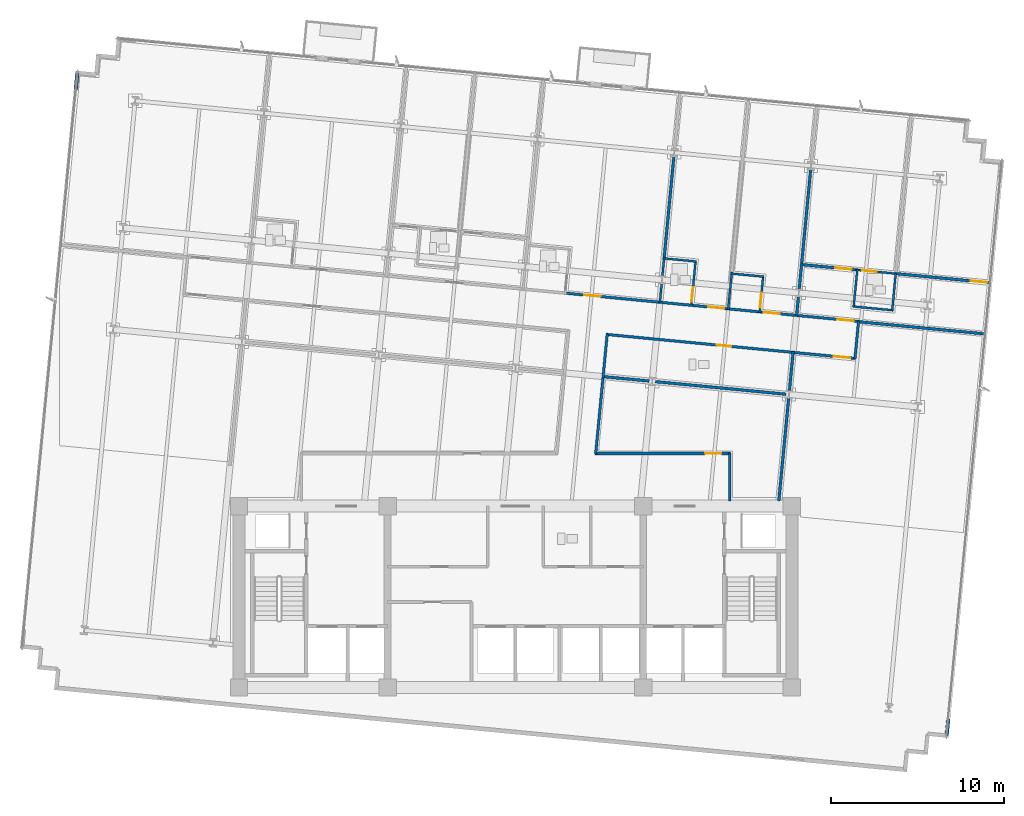
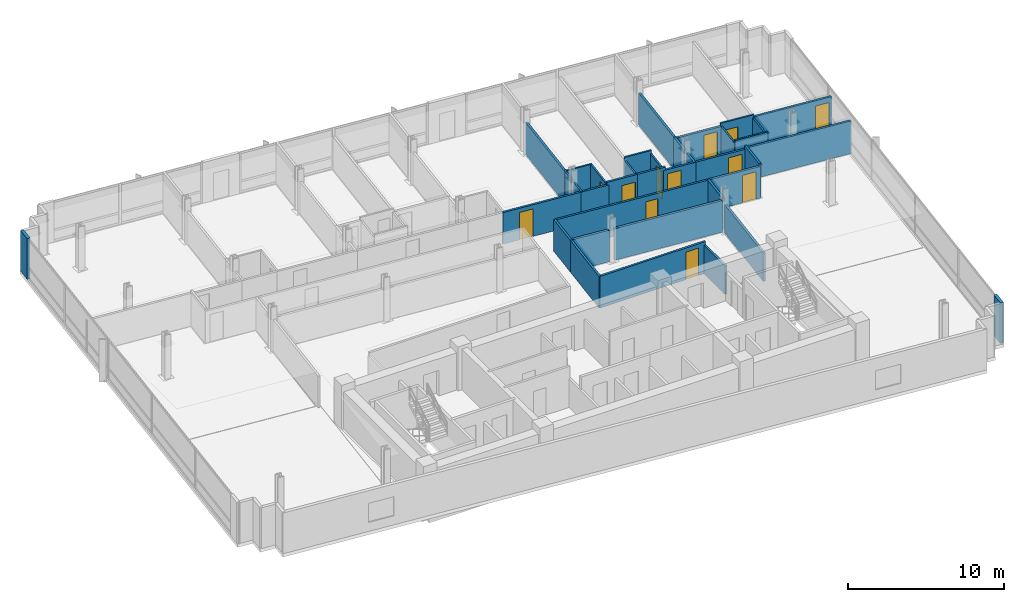
# One storey, part 12 of 17: 37 walls, 12 doors, 12 openings.
"""IFC4 building model written with IfcOpenShell, lengths in metres."""

from ifc_helpers import new_model, si_unit, direction, frame, frame_2d, origin, place, context, subcontext, project, spatial, rectangle, extrude, material, layer, layer_set, type_object, element, fill, save


model = new_model("IFC4")

# Units and contexts
model_context = context("Model", 3, precision=1e-05, world=origin(), true_north=direction((0.0, 1.0)))
body_context = subcontext(model_context, "Body", "Model", "MODEL_VIEW")
ifc_project = project(units=[si_unit("LENGTHUNIT", "METRE"), si_unit("AREAUNIT", "SQUARE_METRE"), si_unit("VOLUMEUNIT", "CUBIC_METRE"), si_unit("PLANEANGLEUNIT", "RADIAN"), si_unit("MASSUNIT", "GRAM", prefix="KILO")], contexts=[model_context])

# Site, building, storey
site_placement = place(None, origin())
site = spatial("IfcSite", under=ifc_project, at=site_placement, CompositionType="ELEMENT")
building_placement = place(site_placement, origin())
building = spatial("IfcBuilding", under=site, at=building_placement, Name="Solmavex Isthmus Hotel", CompositionType="ELEMENT")
storey_placement = place(building_placement, frame((0.0, 0.0, 142.800048828125)))
storey = spatial("IfcBuildingStorey", under=building, at=storey_placement, Name="L38", CompositionType="ELEMENT", Elevation=142.800048828125)

# Walls
ifc_material_1 = material(Name="Precast Concrete C40/50", Category="concrete")
ifc_layer_1 = layer(ifc_material_1, 0.25)
ifc_layer_set_1 = layer_set([ifc_layer_1], Name="Precast Concrete C40/50")
wall_type_1 = type_object("IfcWallType", Name="EW-TWR-250", PredefinedType="STANDARD", material=ifc_layer_set_1)
wall_1_placement = place(storey_placement, frame((-25.46142578125, 21.60498046875, 0.0), z_axis=(0.0, 0.0, 1.0), x_axis=(0.095937974524, 0.995387314086, 0.0)))
element("IfcWall", 1, at=wall_1_placement, inside=storey, type_object=wall_type_1, Name="Serrated Corner Facade Panel L38-07", PredefinedType="STANDARD", context=body_context, shape_type="SweptSolid", body=[
    extrude(rectangle(XDim=0.989990234375, YDim=0.219970703125, at=frame_2d((0.4951171875, 0.0))), origin(), (0.0, 0.0, 1.0), 3.18994140625),
])
wall_2_placement = place(storey_placement, frame((25.0615234375, -14.804931640625, 0.0), z_axis=(0.0, 0.0, 1.0), x_axis=(-0.095914428506, -0.995389583231, 0.0)))
element("IfcWall", 2, at=wall_2_placement, inside=storey, type_object=wall_type_1, Name="Serrated Corner Facade Panel L38-21", PredefinedType="STANDARD", context=body_context, shape_type="SweptSolid", body=[
    extrude(rectangle(XDim=0.990234375, YDim=0.219970703125, at=frame_2d((0.4951171875, 0.0))), origin(), (0.0, 0.0, 1.0), 3.18994140625),
])
ifc_material_2 = material(Name="Gypsum plasterboard lining", Category="gypsum")
ifc_layer_2 = layer(ifc_material_2, 0.159912109375)
ifc_layer_set_2 = layer_set([ifc_layer_2], Name="Gypsum plasterboard lining")
wall_type_2 = type_object("IfcWallType", Name="IW-COMP-160", PredefinedType="PARTITIONING", material=ifc_layer_set_2)
wall_3_placement = place(storey_placement, frame((9.178466796875, 17.791259765625, 0.0), z_axis=(0.0, 0.0, 1.0), x_axis=(-0.095826863488, -0.995398016993, 0.0)))
element("IfcWall", 3, at=wall_3_placement, inside=storey, type_object=wall_type_2, Name="Interior Partition Wall W-L38-P050", PredefinedType="PARTITIONING", context=body_context, shape_type="SweptSolid", body=[
    extrude(rectangle(XDim=6.055908203125, YDim=0.159912109375, at=frame_2d((3.02783203125, 0.0))), origin(), (0.0, 0.0, 1.0), 2.4794921875),
])
wall_4_placement = place(storey_placement, frame((16.389404296875, 9.6708984375, 0.0), z_axis=(0.0, 0.0, 1.0), x_axis=(-0.095811626391, -0.995399483749, 0.0)))
element("IfcWall", 4, at=wall_4_placement, inside=storey, type_object=wall_type_2, Name="Interior Partition Wall W-L38-P060", PredefinedType="PARTITIONING", context=body_context, shape_type="SweptSolid", body=[
    extrude(rectangle(XDim=1.172119140625, YDim=0.159912109375, at=frame_2d((0.5859375, 0.0))), origin(), (0.0, 0.0, 1.0), 2.4794921875),
])
wall_5_placement = place(storey_placement, frame((16.572265625, 11.570068359375, 0.0), z_axis=(0.0, 0.0, 1.0), x_axis=(-0.095867871334, -0.99539406832, 0.0)))
element("IfcWall", 5, at=wall_5_placement, inside=storey, type_object=wall_type_2, Name="Interior Partition Wall W-L38-P061", PredefinedType="PARTITIONING", context=body_context, shape_type="SweptSolid", body=[
    extrude(rectangle(XDim=1.555908203125, YDim=0.159912109375, at=frame_2d((0.77783203125, 0.0))), origin(), (0.0, 0.0, 1.0), 2.4794921875),
])
wall_6_placement = place(storey_placement, frame((17.097900390625, 17.02880859375, 0.0), z_axis=(0.0, 0.0, 1.0), x_axis=(-0.095831010877, -0.995397617716, 0.0)))
element("IfcWall", 6, at=wall_6_placement, inside=storey, type_object=wall_type_2, Name="Interior Partition Wall W-L38-P062", PredefinedType="PARTITIONING", context=body_context, shape_type="SweptSolid", body=[
    extrude(rectangle(XDim=5.64794921875, YDim=0.159912109375, at=frame_2d((2.823974609375, 0.0))), origin(), (0.0, 0.0, 1.0), 2.4794921875),
])

# Wall, opening, door
wall_7_placement = place(storey_placement, frame((16.524658203125, 11.4921875, 0.0), z_axis=(0.0, 0.0, 1.0), x_axis=(0.995395561935, -0.095852361889, 0.0)))
wall_7 = element("IfcWall", 7, at=wall_7_placement, inside=storey, type_object=wall_type_2, Name="Interior Partition Wall W-L38-P064", PredefinedType="PARTITIONING", context=body_context, shape_type="SweptSolid", body=[
    extrude(rectangle(XDim=3.323974609375, YDim=0.159912109375, at=frame_2d((1.662109375, 0.0))), origin(), (0.0, 0.0, 1.0), 2.4794921875),
])
opening_1_placement = place(wall_7_placement, frame((2.00439453125, 0.0, 0.0)))
opening_1 = element("IfcOpeningElement", 8, at=opening_1_placement, cuts=wall_7, Name="Opening ID-C095", PredefinedType="OPENING", context=body_context, shape_type="SweptSolid", body=[
    extrude(rectangle(XDim=0.949951171875, YDim=2.14990234375, at=frame_2d((0.47509765625, 1.074951171875))), frame((0.0, 0.08984375, 0.0), z_axis=(0.0, -1.0, 0.0), x_axis=(1.0, 0.0, 0.0)), (0.0, 0.0, 1.0), 0.179931640625),
])
ifc_material_3 = material(Name="Hardwood timber", Category="wood")
door_type_1 = type_object("IfcDoorType", Name="IDR-FD60-0950", OperationType="NOTDEFINED", PredefinedType="DOOR", material=ifc_material_3)
door_1_placement = place(opening_1_placement, origin())
door_1 = element("IfcDoor", 9, at=door_1_placement, inside=storey, type_object=door_type_1, Name="Diplomatic Hospitality Suite Bedroom Door L38-15", OperationType="SINGLE_SWING_LEFT", OverallHeight=2.14990234375, OverallWidth=0.949951171875, PredefinedType="DOOR", context=body_context, shape_type="SweptSolid", body=[
    extrude(rectangle(XDim=0.949951171875, YDim=2.14990234375, at=frame_2d((0.47509765625, 1.074951171875))), frame((0.0, 0.02490234375, 0.0), z_axis=(0.0, -1.0, 0.0), x_axis=(1.0, 0.0, 0.0)), (0.0, 0.0, 1.0), 0.050048828125),
])
fill(opening_1, door_1)

wall_8_placement = place(storey_placement, frame((21.973388671875, 10.967529296875, 0.0), z_axis=(0.0, 0.0, 1.0), x_axis=(0.99539730528, -0.095834256092, 0.0)))
wall_8 = element("IfcWall", 10, at=wall_8_placement, inside=storey, type_object=wall_type_2, Name="Interior Partition Wall W-L38-P065", PredefinedType="PARTITIONING", context=body_context, shape_type="SweptSolid", body=[
    extrude(rectangle(XDim=5.573974609375, YDim=0.159912109375, at=frame_2d((2.787109375, 0.0))), origin(), (0.0, 0.0, 1.0), 2.557373046875),
])
opening_2_placement = place(wall_8_placement, frame((4.4140625, 0.0, 0.0)))
opening_2 = element("IfcOpeningElement", 11, at=opening_2_placement, cuts=wall_8, Name="Opening ID-C095", PredefinedType="OPENING", context=body_context, shape_type="SweptSolid", body=[
    extrude(rectangle(XDim=0.949951171875, YDim=2.14990234375, at=frame_2d((0.47509765625, 1.074951171875))), frame((0.0, 0.08984375, 0.0), z_axis=(0.0, -1.0, 0.0), x_axis=(1.0, 0.0, 0.0)), (0.0, 0.0, 1.0), 0.179931640625),
])
door_2_placement = place(opening_2_placement, origin())
door_2 = element("IfcDoor", 12, at=door_2_placement, inside=storey, type_object=door_type_1, Name="Diplomatic Hospitality Suite Sitting Lounge Door L38-16", OperationType="SINGLE_SWING_RIGHT", OverallHeight=2.14990234375, OverallWidth=0.949951171875, PredefinedType="DOOR", context=body_context, shape_type="SweptSolid", body=[
    extrude(rectangle(XDim=0.949951171875, YDim=2.14990234375, at=frame_2d((0.47509765625, 1.074951171875))), frame((0.0, 0.02490234375, 0.0), z_axis=(0.0, -1.0, 0.0), x_axis=(1.0, 0.0, 0.0)), (0.0, 0.0, 1.0), 0.050048828125),
])
fill(opening_2, door_2)

# Walls
wall_9_placement = place(storey_placement, frame((27.236328125, 7.468994140625, 0.0), z_axis=(0.0, 0.0, 1.0), x_axis=(-0.995396228159, 0.095845443117, 0.0)))
element("IfcWall", 13, at=wall_9_placement, inside=storey, type_object=wall_type_2, Name="Interior Partition Wall W-L38-P069", PredefinedType="PARTITIONING", context=body_context, shape_type="SweptSolid", body=[
    extrude(rectangle(XDim=7.447998046875, YDim=0.159912109375, at=frame_2d((3.72412109375, 0.0))), origin(), (0.0, 0.0, 1.0), 2.557373046875),
])
wall_10_placement = place(storey_placement, frame((7.745361328125, 4.74462890625, 0.0), z_axis=(0.0, 0.0, 1.0), x_axis=(-0.995392910691, 0.095879890208, 0.0)))
element("IfcWall", 14, at=wall_10_placement, inside=storey, type_object=wall_type_2, Name="Interior Partition Wall W-L38-P072", PredefinedType="PARTITIONING", context=body_context, shape_type="SweptSolid", body=[
    extrude(rectangle(XDim=2.721923828125, YDim=0.159912109375, at=frame_2d((1.36083984375, 0.0))), origin(), (0.0, 0.0, 1.0), 2.4794921875),
])
wall_11_placement = place(storey_placement, frame((15.664794921875, 3.982177734375, 0.0), z_axis=(0.0, 0.0, 1.0), x_axis=(-0.995396667246, 0.095840882902, 0.0)))
element("IfcWall", 15, at=wall_11_placement, inside=storey, type_object=wall_type_2, Name="Interior Partition Wall W-L38-P073", PredefinedType="PARTITIONING", context=body_context, shape_type="SweptSolid", body=[
    extrude(rectangle(XDim=7.603759765625, YDim=0.159912109375, at=frame_2d((3.8017578125, 0.0))), origin(), (0.0, 0.0, 1.0), 2.4794921875),
])
wall_12_placement = place(storey_placement, frame((16.07861328125, 6.44384765625, 0.0), z_axis=(0.0, 0.0, 1.0), x_axis=(-0.095794827695, -0.995401100555, 0.0)))
element("IfcWall", 16, at=wall_12_placement, inside=storey, type_object=wall_type_2, Name="Interior Partition Wall W-L38-P074", PredefinedType="PARTITIONING", context=body_context, shape_type="SweptSolid", body=[
    extrude(rectangle(XDim=2.314208984375, YDim=0.159912109375, at=frame_2d((1.1572265625, 0.0))), origin(), (0.0, 0.0, 1.0), 2.4794921875),
])
wall_13_placement = place(storey_placement, frame((15.8232421875, 3.7900390625, 0.0), z_axis=(0.0, 0.0, 1.0), x_axis=(-0.095865726078, -0.99539427493, 0.0)))
element("IfcWall", 17, at=wall_13_placement, inside=storey, type_object=wall_type_2, Name="Interior Partition Wall W-L38-P079", PredefinedType="PARTITIONING", context=body_context, shape_type="SweptSolid", body=[
    extrude(rectangle(XDim=6.007568359375, YDim=0.159912109375, at=frame_2d((3.00390625, 0.0))), origin(), (0.0, 0.0, 1.0), 2.224853515625),
])

# Wall, opening, door
ifc_layer_3 = layer(ifc_material_2, 0.14990234375)
ifc_layer_set_3 = layer_set([ifc_layer_3], Name="Gypsum plasterboard lining")
wall_type_3 = type_object("IfcWallType", Name="IW-CORR-150", PredefinedType="PARTITIONING", material=ifc_layer_set_3)
wall_14_placement = place(storey_placement, frame((2.79931640625, 9.84228515625, 0.0), z_axis=(0.0, 0.0, 1.0), x_axis=(0.995395844771, -0.095849424686, 0.0)))
wall_14 = element("IfcWall", 18, at=wall_14_placement, inside=storey, type_object=wall_type_3, Name="Interior Partition Wall W-L38-P005", PredefinedType="PARTITIONING", context=body_context, shape_type="SweptSolid", body=[
    extrude(rectangle(XDim=5.669921875, YDim=0.14990234375, at=frame_2d((2.8349609375, 0.0))), origin(), (0.0, 0.0, 1.0), 2.4794921875),
])
opening_3_placement = place(wall_14_placement, frame((1.18603515625, 0.0, 0.0)))
opening_3 = element("IfcOpeningElement", 19, at=opening_3_placement, cuts=wall_14, Name="Opening ID-C095", PredefinedType="OPENING", context=body_context, shape_type="SweptSolid", body=[
    extrude(rectangle(XDim=0.949951171875, YDim=2.14990234375, at=frame_2d((0.47509765625, 1.074951171875))), frame((0.0, 0.0849609375, 0.0), z_axis=(0.0, -1.0, 0.0), x_axis=(1.0, 0.0, 0.0)), (0.0, 0.0, 1.0), 0.169921875),
])
door_3_placement = place(opening_3_placement, frame((0.949951171875, 0.0, 0.0), z_axis=(0.0, 0.0, 1.0), x_axis=(-1.0, 0.0, 0.0)))
door_3 = element("IfcDoor", 20, at=door_3_placement, inside=storey, type_object=door_type_1, Name="Diplomatic Suite Door L38-08", OperationType="SINGLE_SWING_RIGHT", OverallHeight=2.14990234375, OverallWidth=0.949951171875, PredefinedType="DOOR", context=body_context, shape_type="SweptSolid", body=[
    extrude(rectangle(XDim=0.949951171875, YDim=2.14990234375, at=frame_2d((0.47509765625, 1.074951171875))), frame((0.0, 0.02490234375, 0.0), z_axis=(0.0, -1.0, 0.0), x_axis=(1.0, 0.0, 0.0)), (0.0, 0.0, 1.0), 0.050048828125),
])
fill(opening_3, door_3)

wall_15_placement = place(storey_placement, frame((10.101318359375, 9.13916015625, 0.0), z_axis=(0.0, 0.0, 1.0), x_axis=(0.995393345625, -0.095875374756, 0.0)))
wall_15 = element("IfcWall", 21, at=wall_15_placement, inside=storey, type_object=wall_type_3, Name="Interior Partition Wall W-L38-P007", PredefinedType="PARTITIONING", context=body_context, shape_type="SweptSolid", body=[
    extrude(rectangle(XDim=2.312255859375, YDim=0.14990234375, at=frame_2d((1.15625, 0.0))), origin(), (0.0, 0.0, 1.0), 2.718017578125),
])
opening_4_placement = place(wall_15_placement, frame((1.05615234375, 0.0, 0.0)))
opening_4 = element("IfcOpeningElement", 22, at=opening_4_placement, cuts=wall_15, Name="Opening ID-C095", PredefinedType="OPENING", context=body_context, shape_type="SweptSolid", body=[
    extrude(rectangle(XDim=0.949951171875, YDim=2.14990234375, at=frame_2d((0.47509765625, 1.074951171875))), frame((0.0, 0.0849609375, 0.0), z_axis=(0.0, -1.0, 0.0), x_axis=(1.0, 0.0, 0.0)), (0.0, 0.0, 1.0), 0.169921875),
])
door_4_placement = place(opening_4_placement, frame((0.949951171875, 0.0, 0.0), z_axis=(0.0, 0.0, 1.0), x_axis=(-1.0, 0.0, 0.0)))
door_4 = element("IfcDoor", 23, at=door_4_placement, inside=storey, type_object=door_type_1, Name="Junior Suite Door L38-10", OperationType="SINGLE_SWING_RIGHT", OverallHeight=2.14990234375, OverallWidth=0.949951171875, PredefinedType="DOOR", context=body_context, shape_type="SweptSolid", body=[
    extrude(rectangle(XDim=0.949951171875, YDim=2.14990234375, at=frame_2d((0.47509765625, 1.074951171875))), frame((0.0, 0.02490234375, 0.0), z_axis=(0.0, -1.0, 0.0), x_axis=(1.0, 0.0, 0.0)), (0.0, 0.0, 1.0), 0.050048828125),
])
fill(opening_4, door_4)

# Wall
wall_16_placement = place(storey_placement, frame((8.280029296875, 9.314453125, 0.0), z_axis=(0.0, 0.0, 1.0), x_axis=(0.995393086543, -0.095878064554, 0.0)))
element("IfcWall", 24, at=wall_16_placement, inside=storey, type_object=wall_type_3, Name="Interior Partition Wall W-L38-P008", PredefinedType="PARTITIONING", context=body_context, shape_type="SweptSolid", body=[
    extrude(rectangle(XDim=1.993896484375, YDim=0.14990234375, at=frame_2d((0.9970703125, 0.0))), origin(), (0.0, 0.0, 1.0), 2.4794921875),
])

# Wall, opening, door
wall_17_placement = place(storey_placement, frame((14.06103515625, 8.7578125, 0.0), z_axis=(0.0, 0.0, 1.0), x_axis=(0.995393345625, -0.095875374756, 0.0)))
wall_17 = element("IfcWall", 25, at=wall_17_placement, inside=storey, type_object=wall_type_3, Name="Interior Partition Wall W-L38-P009", PredefinedType="PARTITIONING", context=body_context, shape_type="SweptSolid", body=[
    extrude(rectangle(XDim=2.312255859375, YDim=0.14990234375, at=frame_2d((1.15625, 0.0))), origin(), (0.0, 0.0, 1.0), 2.4794921875),
])
opening_5_placement = place(wall_17_placement, frame((0.30615234375, 0.0, 0.0)))
opening_5 = element("IfcOpeningElement", 26, at=opening_5_placement, cuts=wall_17, Name="Opening ID-C095", PredefinedType="OPENING", context=body_context, shape_type="SweptSolid", body=[
    extrude(rectangle(XDim=0.949951171875, YDim=2.14990234375, at=frame_2d((0.47509765625, 1.074951171875))), frame((0.0, 0.0849609375, 0.0), z_axis=(0.0, -1.0, 0.0), x_axis=(1.0, 0.0, 0.0)), (0.0, 0.0, 1.0), 0.169921875),
])
door_5_placement = place(opening_5_placement, frame((0.949951171875, 0.0, 0.0), z_axis=(0.0, 0.0, 1.0), x_axis=(-1.0, 0.0, 0.0)))
door_5 = element("IfcDoor", 27, at=door_5_placement, inside=storey, type_object=door_type_1, Name="Deluxe Twin Room Door L38-12", OperationType="SINGLE_SWING_RIGHT", OverallHeight=2.14990234375, OverallWidth=0.949951171875, PredefinedType="DOOR", context=body_context, shape_type="SweptSolid", body=[
    extrude(rectangle(XDim=0.949951171875, YDim=2.14990234375, at=frame_2d((0.47509765625, 1.074951171875))), frame((0.0, 0.02490234375, 0.0), z_axis=(0.0, -1.0, 0.0), x_axis=(1.0, 0.0, 0.0)), (0.0, 0.0, 1.0), 0.050048828125),
])
fill(opening_5, door_5)

# Wall
wall_18_placement = place(storey_placement, frame((12.239501953125, 8.93310546875, 0.0), z_axis=(0.0, 0.0, 1.0), x_axis=(0.995405888026, -0.095745068196, 0.0)))
element("IfcWall", 28, at=wall_18_placement, inside=storey, type_object=wall_type_3, Name="Interior Partition Wall W-L38-P010", PredefinedType="PARTITIONING", context=body_context, shape_type="SweptSolid", body=[
    extrude(rectangle(XDim=1.994140625, YDim=0.14990234375, at=frame_2d((0.9970703125, 0.0))), origin(), (0.0, 0.0, 1.0), 2.718017578125),
])

# Wall, opening, door
wall_19_placement = place(storey_placement, frame((16.19921875, 8.552001953125, 0.0), z_axis=(0.0, 0.0, 1.0), x_axis=(0.995391104887, -0.095898635608, 0.0)))
wall_19 = element("IfcWall", 29, at=wall_19_placement, inside=storey, type_object=wall_type_3, Name="Interior Partition Wall W-L38-P011", PredefinedType="PARTITIONING", context=body_context, shape_type="SweptSolid", body=[
    extrude(rectangle(XDim=3.721923828125, YDim=0.14990234375, at=frame_2d((1.86083984375, 0.0))), origin(), (0.0, 0.0, 1.0), 2.4794921875),
])
opening_6_placement = place(wall_19_placement, frame((2.456787109375, 0.0, 0.0)))
opening_6 = element("IfcOpeningElement", 30, at=opening_6_placement, cuts=wall_19, Name="Opening ID-C095", PredefinedType="OPENING", context=body_context, shape_type="SweptSolid", body=[
    extrude(rectangle(XDim=0.949951171875, YDim=2.14990234375, at=frame_2d((0.47509765625, 1.074951171875))), frame((0.0, 0.0849609375, 0.0), z_axis=(0.0, -1.0, 0.0), x_axis=(1.0, 0.0, 0.0)), (0.0, 0.0, 1.0), 0.169921875),
])
door_6_placement = place(opening_6_placement, frame((0.949951171875, 0.0, 0.0), z_axis=(0.0, 0.0, 1.0), x_axis=(-1.0, 0.0, 0.0)))
door_6 = element("IfcDoor", 31, at=door_6_placement, inside=storey, type_object=door_type_1, Name="Diplomatic Hospitality Suite Reception Foyer Door L38-14", OperationType="SINGLE_SWING_RIGHT", OverallHeight=2.14990234375, OverallWidth=0.949951171875, PredefinedType="DOOR", context=body_context, shape_type="SweptSolid", body=[
    extrude(rectangle(XDim=0.949951171875, YDim=2.14990234375, at=frame_2d((0.47509765625, 1.074951171875))), frame((0.0, 0.02490234375, 0.0), z_axis=(0.0, -1.0, 0.0), x_axis=(1.0, 0.0, 0.0)), (0.0, 0.0, 1.0), 0.050048828125),
])
fill(opening_6, door_6)

wall_20_placement = place(storey_placement, frame((16.156494140625, 6.39599609375, 0.0), z_axis=(0.0, 0.0, 1.0), x_axis=(-0.99539478422, 0.095860437863, 0.0)))
wall_20 = element("IfcWall", 32, at=wall_20_placement, inside=storey, type_object=wall_type_3, Name="Interior Partition Wall W-L38-P012", PredefinedType="PARTITIONING", context=body_context, shape_type="SweptSolid", body=[
    extrude(rectangle(XDim=10.93603515625, YDim=0.14990234375, at=frame_2d((5.468017578125, 0.0))), origin(), (0.0, 0.0, 1.0), 2.4794921875),
])
opening_7_placement = place(wall_20_placement, frame((3.675048828125, 0.0, 0.0)))
opening_7 = element("IfcOpeningElement", 33, at=opening_7_placement, cuts=wall_20, Name="Opening ID-R085", PredefinedType="OPENING", context=body_context, shape_type="SweptSolid", body=[
    extrude(rectangle(XDim=0.85009765625, YDim=2.050048828125, at=frame_2d((0.425048828125, 1.02490234375))), frame((0.0, 0.0849609375, 0.0), z_axis=(0.0, -1.0, 0.0), x_axis=(1.0, 0.0, 0.0)), (0.0, 0.0, 1.0), 0.169921875),
])
ifc_material_4 = material(Name="Steel ASTM A500 Grade C", Category="steel")
door_type_2 = type_object("IfcDoorType", Name="IDR-FD60-0850", OperationType="NOTDEFINED", PredefinedType="DOOR", material=ifc_material_4)
door_7_placement = place(opening_7_placement, frame((0.85009765625, 0.0, 0.0), z_axis=(0.0, 0.0, 1.0), x_axis=(-1.0, 0.0, 0.0)))
door_7 = element("IfcDoor", 34, at=door_7_placement, inside=storey, type_object=door_type_2, Name="Accessible Public Restroom WC Door L38-18", OperationType="SINGLE_SWING_RIGHT", OverallHeight=2.050048828125, OverallWidth=0.85009765625, PredefinedType="DOOR", context=body_context, shape_type="SweptSolid", body=[
    extrude(rectangle(XDim=0.85009765625, YDim=2.050048828125, at=frame_2d((0.425048828125, 1.02490234375))), frame((0.0, 0.02490234375, 0.0), z_axis=(0.0, -1.0, 0.0), x_axis=(1.0, 0.0, 0.0)), (0.0, 0.0, 1.0), 0.050048828125),
])
fill(opening_7, door_7)

# Walls
wall_21_placement = place(storey_placement, frame((5.314453125, 7.480224609375, 0.0), z_axis=(0.0, 0.0, 1.0), x_axis=(-0.09587519517, -0.995393362923, 0.0)))
element("IfcWall", 35, at=wall_21_placement, inside=storey, type_object=wall_type_3, Name="Interior Partition Wall W-L38-P013", PredefinedType="PARTITIONING", context=body_context, shape_type="SweptSolid", body=[
    extrude(rectangle(XDim=2.572021484375, YDim=0.14990234375, at=frame_2d((1.2861328125, 0.0))), origin(), (0.0, 0.0, 1.0), 2.4794921875),
])
wall_22_placement = place(storey_placement, frame((5.083740234375, 5.083251953125, 0.0), z_axis=(0.0, 0.0, 1.0), x_axis=(-0.095867331855, -0.995394120277, 0.0)))
element("IfcWall", 36, at=wall_22_placement, inside=storey, type_object=wall_type_3, Name="Interior Partition Wall W-L38-P016", PredefinedType="PARTITIONING", context=body_context, shape_type="SweptSolid", body=[
    extrude(rectangle(XDim=4.59423828125, YDim=0.14990234375, at=frame_2d((2.297119140625, 0.0))), origin(), (0.0, 0.0, 1.0), 2.4794921875),
])

# Wall, opening, door
wall_23_placement = place(storey_placement, frame((4.607177734375, 0.550048828125, 0.0), z_axis=(0.0, 0.0, 1.0), x_axis=(1.0, 0.0, 0.0)))
wall_23 = element("IfcWall", 37, at=wall_23_placement, inside=storey, type_object=wall_type_3, Name="Interior Partition Wall W-L38-P017", PredefinedType="PARTITIONING", context=body_context, shape_type="SweptSolid", body=[
    extrude(rectangle(XDim=7.832763671875, YDim=0.14990234375, at=frame_2d((3.91650390625, 0.0))), origin(), (0.0, 0.0, 1.0), 2.4794921875),
])
opening_8_placement = place(wall_23_placement, frame((6.3720703125, 0.0, 0.0)))
opening_8 = element("IfcOpeningElement", 38, at=opening_8_placement, cuts=wall_23, Name="Opening ID-C095", PredefinedType="OPENING", context=body_context, shape_type="SweptSolid", body=[
    extrude(rectangle(XDim=0.949951171875, YDim=2.14990234375, at=frame_2d((0.47509765625, 1.074951171875))), frame((0.0, 0.0849609375, 0.0), z_axis=(0.0, -1.0, 0.0), x_axis=(1.0, 0.0, 0.0)), (0.0, 0.0, 1.0), 0.169921875),
])
door_8_placement = place(opening_8_placement, origin())
door_8 = element("IfcDoor", 39, at=door_8_placement, inside=storey, type_object=door_type_1, Name="Tea Ceremony Lounge Door L38-20", OperationType="SINGLE_SWING_RIGHT", OverallHeight=2.14990234375, OverallWidth=0.949951171875, PredefinedType="DOOR", context=body_context, shape_type="SweptSolid", body=[
    extrude(rectangle(XDim=0.949951171875, YDim=2.14990234375, at=frame_2d((0.47509765625, 1.074951171875))), frame((0.0, 0.02490234375, 0.0), z_axis=(0.0, -1.0, 0.0), x_axis=(1.0, 0.0, 0.0)), (0.0, 0.0, 1.0), 0.050048828125),
])
fill(opening_8, door_8)

# Walls
wall_24_placement = place(storey_placement, frame((12.39990234375, 0.590087890625, 0.0), z_axis=(0.0, 0.0, 1.0), x_axis=(0.0, -1.0, 0.0)))
element("IfcWall", 40, at=wall_24_placement, inside=storey, type_object=wall_type_3, Name="Interior Partition Wall W-L38-P018", PredefinedType="PARTITIONING", context=body_context, shape_type="SweptSolid", body=[
    extrude(rectangle(XDim=2.780029296875, YDim=0.14990234375, at=frame_2d((1.39013671875, 0.0))), origin(), (0.0, 0.0, 1.0), 2.224853515625),
])
wall_25_placement = place(storey_placement, frame((19.8662109375, 8.218994140625, 0.0), z_axis=(0.0, 0.0, 1.0), x_axis=(-0.095773447772, -0.995403157872, 0.0)))
element("IfcWall", 41, at=wall_25_placement, inside=storey, type_object=wall_type_3, Name="Interior Partition Wall W-L38-P019", PredefinedType="PARTITIONING", context=body_context, shape_type="SweptSolid", body=[
    extrude(rectangle(XDim=2.210205078125, YDim=0.14990234375, at=frame_2d((1.10498046875, 0.0))), origin(), (0.0, 0.0, 1.0), 2.718017578125),
])

# Wall, opening, door
wall_26_placement = place(storey_placement, frame((19.697998046875, 6.05517578125, 0.0), z_axis=(0.0, 0.0, 1.0), x_axis=(-0.995397364202, 0.095833644092, 0.0)))
wall_26 = element("IfcWall", 42, at=wall_26_placement, inside=storey, type_object=wall_type_3, Name="Interior Partition Wall W-L38-P020", PredefinedType="PARTITIONING", context=body_context, shape_type="SweptSolid", body=[
    extrude(rectangle(XDim=3.721923828125, YDim=0.14990234375, at=frame_2d((1.86083984375, 0.0))), origin(), (0.0, 0.0, 1.0), 2.4794921875),
])
opening_9_placement = place(wall_26_placement, frame((0.315185546875, 0.0, 0.0)))
opening_9 = element("IfcOpeningElement", 43, at=opening_9_placement, cuts=wall_26, Name="Opening ID-C095", PredefinedType="OPENING", context=body_context, shape_type="SweptSolid", body=[
    extrude(rectangle(XDim=0.949951171875, YDim=2.14990234375, at=frame_2d((0.47509765625, 1.074951171875))), frame((0.0, 0.0849609375, 0.0), z_axis=(0.0, -1.0, 0.0), x_axis=(1.0, 0.0, 0.0)), (0.0, 0.0, 1.0), 0.169921875),
])
door_9_placement = place(opening_9_placement, frame((0.949951171875, 0.0, 0.0), z_axis=(0.0, 0.0, 1.0), x_axis=(-1.0, 0.0, 0.0)))
door_9 = element("IfcDoor", 44, at=door_9_placement, inside=storey, type_object=door_type_1, Name="Executive Hospitality Lounge Door L38-21", OperationType="SINGLE_SWING_LEFT", OverallHeight=2.14990234375, OverallWidth=0.949951171875, PredefinedType="DOOR", context=body_context, shape_type="SweptSolid", body=[
    extrude(rectangle(XDim=0.949951171875, YDim=2.14990234375, at=frame_2d((0.47509765625, 1.074951171875))), frame((0.0, 0.02490234375, 0.0), z_axis=(0.0, -1.0, 0.0), x_axis=(1.0, 0.0, 0.0)), (0.0, 0.0, 1.0), 0.050048828125),
])
fill(opening_9, door_9)

# Walls
ifc_layer_4 = layer(ifc_material_2, 0.1201171875)
ifc_layer_set_4 = layer_set([ifc_layer_4], Name="Gypsum plasterboard lining")
wall_type_4 = type_object("IfcWallType", Name="IW-PART-120", PredefinedType="PARTITIONING", material=ifc_layer_set_4)
wall_27_placement = place(storey_placement, frame((8.469970703125, 10.433349609375, 0.0), z_axis=(0.0, 0.0, 1.0), x_axis=(-0.095831494917, -0.995397571115, 0.0)))
element("IfcWall", 45, at=wall_27_placement, inside=storey, type_object=wall_type_4, Name="Interior Partition Wall W-L38-P052", PredefinedType="PARTITIONING", context=body_context, shape_type="SweptSolid", body=[
    extrude(rectangle(XDim=1.171875, YDim=0.1201171875, at=frame_2d((0.5859375, 0.0))), origin(), (0.0, 0.0, 1.0), 2.4794921875),
])
wall_28_placement = place(storey_placement, frame((8.61376953125, 11.926513671875, 0.0), z_axis=(0.0, 0.0, 1.0), x_axis=(-0.09590284245, -0.99539069958, 0.0)))
element("IfcWall", 46, at=wall_28_placement, inside=storey, type_object=wall_type_4, Name="Interior Partition Wall W-L38-P053", PredefinedType="PARTITIONING", context=body_context, shape_type="SweptSolid", body=[
    extrude(rectangle(XDim=1.148193359375, YDim=0.1201171875, at=frame_2d((0.57421875, 0.0))), origin(), (0.0, 0.0, 1.0), 2.4794921875),
])

# Wall, opening, door
wall_29_placement = place(storey_placement, frame((10.17919921875, 9.09130859375, 0.0), z_axis=(0.0, 0.0, 1.0), x_axis=(0.095799078022, 0.995400691506, 0.0)))
wall_29 = element("IfcWall", 47, at=wall_29_placement, inside=storey, type_object=wall_type_4, Name="Interior Partition Wall W-L38-P054", PredefinedType="PARTITIONING", context=body_context, shape_type="SweptSolid", body=[
    extrude(rectangle(XDim=2.630126953125, YDim=0.1201171875, at=frame_2d((1.31494140625, 0.0))), origin(), (0.0, 0.0, 1.0), 2.4794921875),
])
opening_10_placement = place(wall_29_placement, frame((0.247314453125, 0.0, 0.0)))
opening_10 = element("IfcOpeningElement", 48, at=opening_10_placement, cuts=wall_29, Name="Opening ID-U085", PredefinedType="OPENING", context=body_context, shape_type="SweptSolid", body=[
    extrude(rectangle(XDim=0.85009765625, YDim=2.10009765625, at=frame_2d((0.425048828125, 1.050048828125))), frame((0.0, 0.070068359375, 0.0), z_axis=(0.0, -1.0, 0.0), x_axis=(1.0, 0.0, 0.0)), (0.0, 0.0, 1.0), 0.14013671875),
])
door_type_3 = type_object("IfcDoorType", Name="IDR-UNR-0850", OperationType="NOTDEFINED", PredefinedType="DOOR", material=ifc_material_3)
door_10_placement = place(opening_10_placement, frame((0.85009765625, 0.0, 0.0), z_axis=(0.0, 0.0, 1.0), x_axis=(-1.0, 0.0, 0.0)))
door_10 = element("IfcDoor", 49, at=door_10_placement, inside=storey, type_object=door_type_3, Name="En-suite Bathroom Door L38-11", OperationType="SINGLE_SWING_LEFT", OverallHeight=2.10009765625, OverallWidth=0.85009765625, PredefinedType="DOOR", context=body_context, shape_type="SweptSolid", body=[
    extrude(rectangle(XDim=0.85009765625, YDim=2.10009765625, at=frame_2d((0.425048828125, 1.050048828125))), frame((0.0, 0.02490234375, 0.0), z_axis=(0.0, -1.0, 0.0), x_axis=(1.0, 0.0, 0.0)), (0.0, 0.0, 1.0), 0.050048828125),
])
fill(opening_10, door_10)

# Walls
wall_30_placement = place(storey_placement, frame((10.46728515625, 11.665771484375, 0.0), z_axis=(0.0, 0.0, 1.0), x_axis=(-0.995405983929, 0.095744071139, 0.0)))
element("IfcWall", 50, at=wall_30_placement, inside=storey, type_object=wall_type_4, Name="Interior Partition Wall W-L38-P055", PredefinedType="PARTITIONING", context=body_context, shape_type="SweptSolid", body=[
    extrude(rectangle(XDim=1.909912109375, YDim=0.1201171875, at=frame_2d((0.955078125, 0.0))), origin(), (0.0, 0.0, 1.0), 2.4794921875),
])
wall_31_placement = place(storey_placement, frame((12.525634765625, 11.047607421875, 0.0), z_axis=(0.0, 0.0, 1.0), x_axis=(-0.095875173929, -0.995393364969, 0.0)))
element("IfcWall", 51, at=wall_31_placement, inside=storey, type_object=wall_type_4, Name="Interior Partition Wall W-L38-P057", PredefinedType="PARTITIONING", context=body_context, shape_type="SweptSolid", body=[
    extrude(rectangle(XDim=2.172119140625, YDim=0.1201171875, at=frame_2d((1.0859375, 0.0))), origin(), (0.0, 0.0, 1.0), 2.4794921875),
])

# Wall, opening, door
wall_32_placement = place(storey_placement, frame((14.138916015625, 8.710205078125, 0.0), z_axis=(0.0, 0.0, 1.0), x_axis=(0.095825980341, 0.995398102013, 0.0)))
wall_32 = element("IfcWall", 52, at=wall_32_placement, inside=storey, type_object=wall_type_4, Name="Interior Partition Wall W-L38-P058", PredefinedType="PARTITIONING", context=body_context, shape_type="SweptSolid", body=[
    extrude(rectangle(XDim=2.1298828125, YDim=0.1201171875, at=frame_2d((1.06494140625, 0.0))), origin(), (0.0, 0.0, 1.0), 2.4794921875),
])
opening_11_placement = place(wall_32_placement, frame((0.295654296875, 0.0, 0.0)))
opening_11 = element("IfcOpeningElement", 53, at=opening_11_placement, cuts=wall_32, Name="Opening ID-U085", PredefinedType="OPENING", context=body_context, shape_type="SweptSolid", body=[
    extrude(rectangle(XDim=0.85009765625, YDim=2.10009765625, at=frame_2d((0.425048828125, 1.050048828125))), frame((0.0, 0.070068359375, 0.0), z_axis=(0.0, -1.0, 0.0), x_axis=(1.0, 0.0, 0.0)), (0.0, 0.0, 1.0), 0.14013671875),
])
door_11_placement = place(opening_11_placement, origin())
door_11 = element("IfcDoor", 54, at=door_11_placement, inside=storey, type_object=door_type_3, Name="En-suite Bathroom Door L38-13", OperationType="SINGLE_SWING_LEFT", OverallHeight=2.10009765625, OverallWidth=0.85009765625, PredefinedType="DOOR", context=body_context, shape_type="SweptSolid", body=[
    extrude(rectangle(XDim=0.85009765625, YDim=2.10009765625, at=frame_2d((0.425048828125, 1.050048828125))), frame((0.0, 0.02490234375, 0.0), z_axis=(0.0, -1.0, 0.0), x_axis=(1.0, 0.0, 0.0)), (0.0, 0.0, 1.0), 0.050048828125),
])
fill(opening_11, door_11)

# Walls
wall_33_placement = place(storey_placement, frame((14.37890625, 10.78662109375, 0.0), z_axis=(0.0, 0.0, 1.0), x_axis=(-0.995393793358, 0.095870726213, 0.0)))
element("IfcWall", 55, at=wall_33_placement, inside=storey, type_object=wall_type_4, Name="Interior Partition Wall W-L38-P059", PredefinedType="PARTITIONING", context=body_context, shape_type="SweptSolid", body=[
    extrude(rectangle(XDim=1.909912109375, YDim=0.1201171875, at=frame_2d((0.955078125, 0.0))), origin(), (0.0, 0.0, 1.0), 2.718017578125),
])
wall_34_placement = place(storey_placement, frame((19.797607421875, 11.21728515625, 0.0), z_axis=(0.0, 0.0, 1.0), x_axis=(-0.100620321887, -0.994924897077, 0.0)))
element("IfcWall", 56, at=wall_34_placement, inside=storey, type_object=wall_type_4, Name="Interior Partition Wall W-L38-P066", PredefinedType="PARTITIONING", context=body_context, shape_type="SweptSolid", body=[
    extrude(rectangle(XDim=2.2080078125, YDim=0.1201171875, at=frame_2d((1.10400390625, 0.0))), origin(), (0.0, 0.0, 1.0), 2.4794921875),
])
wall_35_placement = place(storey_placement, frame((19.539794921875, 9.064208984375, 0.0), z_axis=(0.0, 0.0, 1.0), x_axis=(0.995393658532, -0.095872126059, 0.0)))
element("IfcWall", 57, at=wall_35_placement, inside=storey, type_object=wall_type_4, Name="Interior Partition Wall W-L38-P067", PredefinedType="PARTITIONING", context=body_context, shape_type="SweptSolid", body=[
    extrude(rectangle(XDim=2.330078125, YDim=0.1201171875, at=frame_2d((1.1650390625, 0.0))), origin(), (0.0, 0.0, 1.0), 2.718017578125),
])
wall_36_placement = place(storey_placement, frame((21.815673828125, 8.8046875, 0.0), z_axis=(0.0, 0.0, 1.0), x_axis=(0.09110395288, 0.995841387857, 0.0)))
element("IfcWall", 58, at=wall_36_placement, inside=storey, type_object=wall_type_4, Name="Interior Partition Wall W-L38-P068", PredefinedType="PARTITIONING", context=body_context, shape_type="SweptSolid", body=[
    extrude(rectangle(XDim=2.208251953125, YDim=0.1201171875, at=frame_2d((1.10400390625, 0.0))), origin(), (0.0, 0.0, 1.0), 2.4794921875),
])

# Wall, opening, door
wall_37_placement = place(storey_placement, frame((22.06298828125, 10.958984375, 0.0), z_axis=(0.0, 0.0, 1.0), x_axis=(-0.995398273854, 0.095824195322, 0.0)))
wall_37 = element("IfcWall", 59, at=wall_37_placement, inside=storey, type_object=wall_type_4, Name="Interior Partition Wall W-L38-P071", PredefinedType="PARTITIONING", context=body_context, shape_type="SweptSolid", body=[
    extrude(rectangle(XDim=2.3720703125, YDim=0.1201171875, at=frame_2d((1.18603515625, 0.0))), origin(), (0.0, 0.0, 1.0), 2.718017578125),
])
opening_12_placement = place(wall_37_placement, frame((1.14599609375, 0.0, 0.0)))
opening_12 = element("IfcOpeningElement", 60, at=opening_12_placement, cuts=wall_37, Name="Opening ID-U085", PredefinedType="OPENING", context=body_context, shape_type="SweptSolid", body=[
    extrude(rectangle(XDim=0.85009765625, YDim=2.10009765625, at=frame_2d((0.425048828125, 1.050048828125))), frame((0.0, 0.070068359375, 0.0), z_axis=(0.0, -1.0, 0.0), x_axis=(1.0, 0.0, 0.0)), (0.0, 0.0, 1.0), 0.14013671875),
])
door_12_placement = place(opening_12_placement, frame((0.85009765625, 0.0, 0.0), z_axis=(0.0, 0.0, 1.0), x_axis=(-1.0, 0.0, 0.0)))
door_12 = element("IfcDoor", 61, at=door_12_placement, inside=storey, type_object=door_type_3, Name="En-suite Bathroom Door L38-17", OperationType="SINGLE_SWING_LEFT", OverallHeight=2.10009765625, OverallWidth=0.85009765625, PredefinedType="DOOR", context=body_context, shape_type="SweptSolid", body=[
    extrude(rectangle(XDim=0.85009765625, YDim=2.10009765625, at=frame_2d((0.425048828125, 1.050048828125))), frame((0.0, 0.02490234375, 0.0), z_axis=(0.0, -1.0, 0.0), x_axis=(1.0, 0.0, 0.0)), (0.0, 0.0, 1.0), 0.050048828125),
])
fill(opening_12, door_12)

save(model, "model.ifc")
